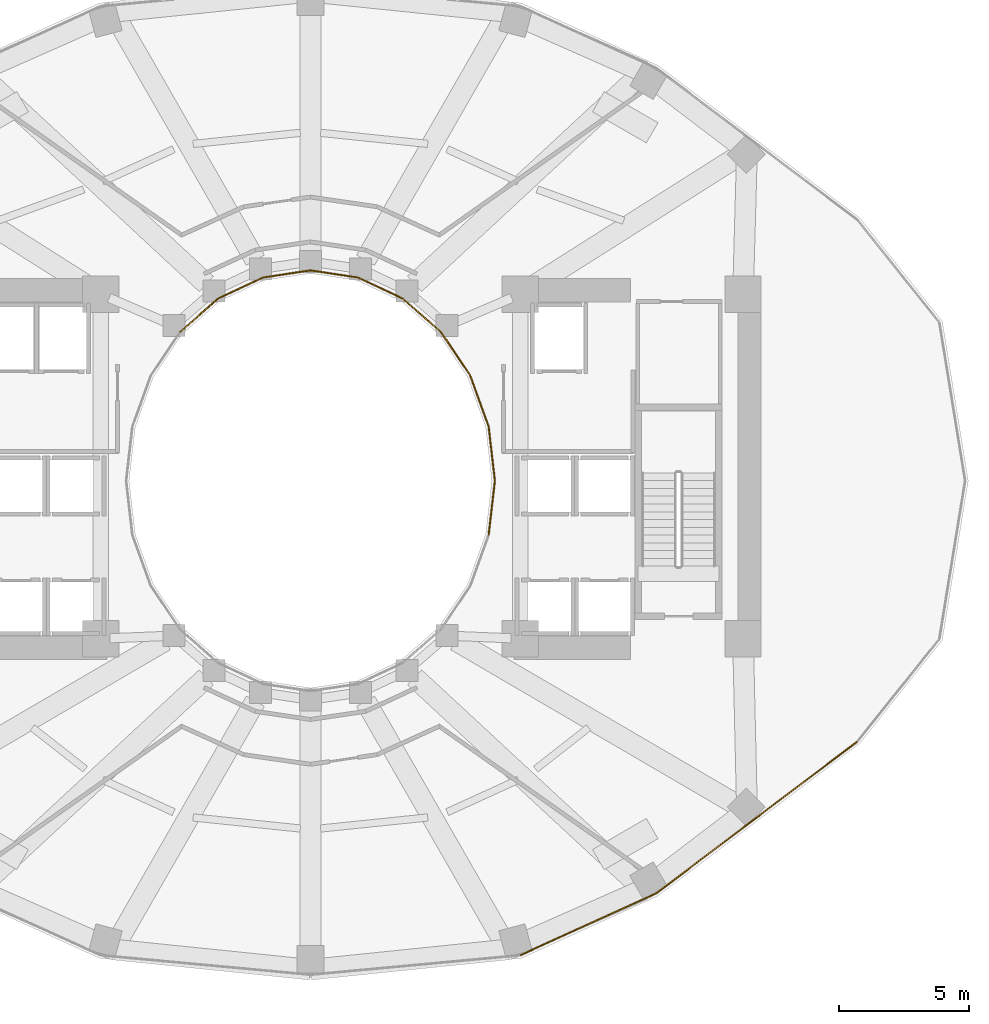
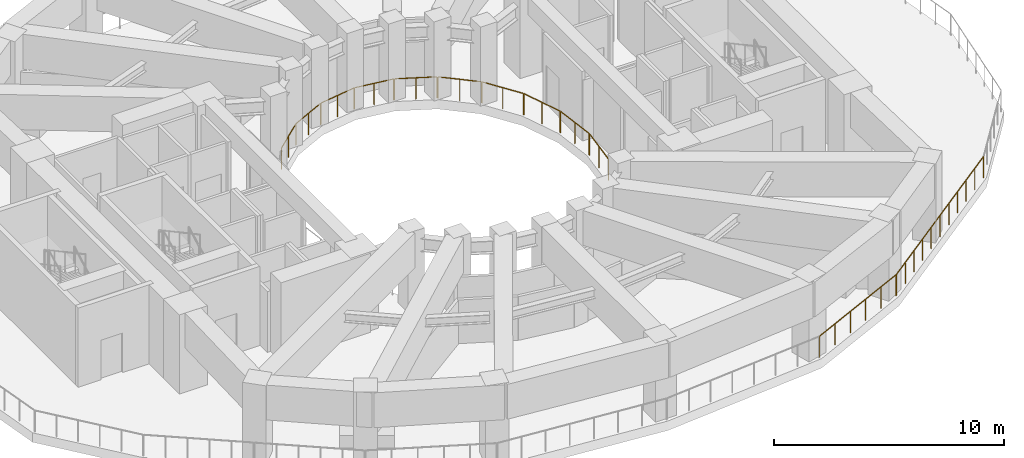
# One storey, part 8 of 10: 13 railings.
"""IFC4 building model written with IfcOpenShell, lengths in metres."""

from ifc_helpers import new_model, si_unit, direction, frame, origin, origin_2d, place, context, subcontext, project, spatial, circle, extrude, material, type_object, element, save


model = new_model("IFC4")

# Units and contexts
model_context = context("Model", 3, precision=1e-05, world=origin(), true_north=direction((0.0, 1.0)))
body_context = subcontext(model_context, "Body", "Model", "MODEL_VIEW")
ifc_project = project(units=[si_unit("LENGTHUNIT", "METRE"), si_unit("AREAUNIT", "SQUARE_METRE"), si_unit("VOLUMEUNIT", "CUBIC_METRE"), si_unit("PLANEANGLEUNIT", "RADIAN"), si_unit("MASSUNIT", "GRAM", prefix="KILO")], contexts=[model_context])

# Site, building, storey
site_placement = place(None, origin())
site = spatial("IfcSite", under=ifc_project, at=site_placement, CompositionType="ELEMENT")
building_placement = place(site_placement, origin())
building = spatial("IfcBuilding", under=site, at=building_placement, Name="Solvane Sanctuary Tower", CompositionType="ELEMENT")
storey_placement = place(building_placement, frame((0.0, 0.0, 69.0)))
storey = spatial("IfcBuildingStorey", under=building, at=storey_placement, Name="L20", CompositionType="ELEMENT", Elevation=69.0)

# Railings
ifc_material = material(Name="Architectural Stainless Steel 316", Category="steel")
railing_type_1 = type_object("IfcRailingType", Name="Railing GR-BALC-1150", PredefinedType="BALUSTRADE", material=ifc_material)
railing_1_placement = place(storey_placement, frame((40.119873046875, 4.68798828125, 0.0)))
element("IfcRailing", 1, at=railing_1_placement, inside=storey, type_object=railing_type_1, Name="L20 Open Void-Portal Perimeter Balustrade 19", PredefinedType="BALUSTRADE", context=body_context, shape_type="SweptSolid", body=[
    extrude(circle(Radius=0.02392578125, at=origin_2d()), frame((0.0, 0.0, 1.1259765625), z_axis=(0.910121263818, 0.414341990566, 0.0), x_axis=(-0.414341990566, 0.910121263818, 0.0)), (0.0, 0.0, 1.0), 5.73193359375),
    extrude(circle(Radius=0.02099609375, at=origin_2d()), origin(), (0.0, 0.0, 1.0), 1.101806640625),
    extrude(circle(Radius=0.02099609375, at=origin_2d()), frame((1.04345703125, 0.47509765625, 0.0)), (0.0, 0.0, 1.0), 1.101806640625),
    extrude(circle(Radius=0.02099609375, at=origin_2d()), frame((2.086669921875, 0.949951171875, 0.0)), (0.0, 0.0, 1.0), 1.101806640625),
    extrude(circle(Radius=0.02099609375, at=origin_2d()), frame((3.130126953125, 1.425048828125, 0.0)), (0.0, 0.0, 1.0), 1.101806640625),
    extrude(circle(Radius=0.02099609375, at=origin_2d()), frame((4.17333984375, 1.89990234375, 0.0)), (0.0, 0.0, 1.0), 1.101806640625),
    extrude(circle(Radius=0.02099609375, at=origin_2d()), frame((5.216796875, 2.375, 0.0)), (0.0, 0.0, 1.0), 1.101806640625),
])
railing_2_placement = place(storey_placement, frame((45.370849609375, 7.08349609375, 0.0)))
element("IfcRailing", 2, at=railing_2_placement, inside=storey, type_object=railing_type_1, Name="L20 Open Void-Portal Perimeter Balustrade 20", PredefinedType="BALUSTRADE", context=body_context, shape_type="SweptSolid", body=[
    extrude(circle(Radius=0.02392578125, at=origin_2d()), frame((0.0, 0.0, 1.1259765625), z_axis=(0.797932886887, 0.602746304861, 0.0), x_axis=(-0.602746304861, 0.797932886887, 0.0)), (0.0, 0.0, 1.0), 4.815673828125),
    extrude(circle(Radius=0.02099609375, at=origin_2d()), origin(), (0.0, 0.0, 1.0), 1.101806640625),
    extrude(circle(Radius=0.02099609375, at=origin_2d()), frame((0.7685546875, 0.58056640625, 0.0)), (0.0, 0.0, 1.0), 1.101806640625),
    extrude(circle(Radius=0.02099609375, at=origin_2d()), frame((1.537109375, 1.1611328125, 0.0)), (0.0, 0.0, 1.0), 1.101806640625),
    extrude(circle(Radius=0.02099609375, at=origin_2d()), frame((2.305419921875, 1.741455078125, 0.0)), (0.0, 0.0, 1.0), 1.101806640625),
    extrude(circle(Radius=0.02099609375, at=origin_2d()), frame((3.073974609375, 2.322021484375, 0.0)), (0.0, 0.0, 1.0), 1.101806640625),
    extrude(circle(Radius=0.02099609375, at=origin_2d()), frame((3.842529296875, 2.902587890625, 0.0)), (0.0, 0.0, 1.0), 1.101806640625),
])
railing_3_placement = place(storey_placement, frame((49.245361328125, 10.010009765625, 0.0)))
element("IfcRailing", 3, at=railing_3_placement, inside=storey, type_object=railing_type_1, Name="L20 Open Void-Portal Perimeter Balustrade 21", PredefinedType="BALUSTRADE", context=body_context, shape_type="SweptSolid", body=[
    extrude(circle(Radius=0.02392578125, at=origin_2d()), frame((0.0, 0.0, 1.1259765625), z_axis=(0.798476908887, 0.602025436318, 0.0), x_axis=(-0.602025436318, 0.798476908887, 0.0)), (0.0, 0.0, 1.0), 4.81689453125),
    extrude(circle(Radius=0.02099609375, at=origin_2d()), origin(), (0.0, 0.0, 1.0), 1.101806640625),
    extrude(circle(Radius=0.02099609375, at=origin_2d()), frame((0.769287109375, 0.580078125, 0.0)), (0.0, 0.0, 1.0), 1.101806640625),
    extrude(circle(Radius=0.02099609375, at=origin_2d()), frame((1.53857421875, 1.159912109375, 0.0)), (0.0, 0.0, 1.0), 1.101806640625),
    extrude(circle(Radius=0.02099609375, at=origin_2d()), frame((2.3076171875, 1.739990234375, 0.0)), (0.0, 0.0, 1.0), 1.101806640625),
    extrude(circle(Radius=0.02099609375, at=origin_2d()), frame((3.076904296875, 2.31982421875, 0.0)), (0.0, 0.0, 1.0), 1.101806640625),
    extrude(circle(Radius=0.02099609375, at=origin_2d()), frame((3.84619140625, 2.89990234375, 0.0)), (0.0, 0.0, 1.0), 1.101806640625),
])
railing_type_2 = type_object("IfcRailingType", Name="Railing GR-WELL-1150", PredefinedType="GUARDRAIL", material=ifc_material)
railing_4_placement = place(storey_placement, frame((39.11767578125, 23.02001953125, 0.0)))
element("IfcRailing", 4, at=railing_4_placement, inside=storey, type_object=railing_type_2, Name="L20 Open Refuge Light-Well Guardrail 00", PredefinedType="GUARDRAIL", context=body_context, shape_type="SweptSolid", body=[
    extrude(circle(Radius=0.02392578125, at=origin_2d()), frame((0.0, 0.0, 1.1259765625), z_axis=(-0.114691080618, 0.993401205972, 0.0), x_axis=(-0.993401205972, -0.114691080618, 0.0)), (0.0, 0.0, 1.0), 2.075439453125),
    extrude(circle(Radius=0.02099609375, at=origin_2d()), origin(), (0.0, 0.0, 1.0), 1.101806640625),
    extrude(circle(Radius=0.02099609375, at=origin_2d()), frame((-0.119140625, 1.03076171875, 0.0)), (0.0, 0.0, 1.0), 1.101806640625),
    extrude(circle(Radius=0.02099609375, at=origin_2d()), frame((-0.238037109375, 2.061767578125, 0.0)), (0.0, 0.0, 1.0), 1.101806640625),
])
railing_5_placement = place(storey_placement, frame((38.87060546875, 25.120361328125, 0.0)))
element("IfcRailing", 5, at=railing_5_placement, inside=storey, type_object=railing_type_2, Name="L20 Open Refuge Light-Well Guardrail 01", PredefinedType="GUARDRAIL", context=body_context, shape_type="SweptSolid", body=[
    extrude(circle(Radius=0.02392578125, at=origin_2d()), frame((0.0, 0.0, 1.1259765625), z_axis=(-0.341416925197, 0.93991195502, 0.0), x_axis=(-0.93991195502, -0.341416925197, 0.0)), (0.0, 0.0, 1.0), 2.043701171875),
    extrude(circle(Radius=0.02099609375, at=origin_2d()), origin(), (0.0, 0.0, 1.0), 1.101806640625),
    extrude(circle(Radius=0.02099609375, at=origin_2d()), frame((-0.348876953125, 0.96044921875, 0.0)), (0.0, 0.0, 1.0), 1.101806640625),
    extrude(circle(Radius=0.02099609375, at=origin_2d()), frame((-0.69775390625, 1.9208984375, 0.0)), (0.0, 0.0, 1.0), 1.101806640625),
])
railing_6_placement = place(storey_placement, frame((38.15478515625, 27.07666015625, 0.0)))
element("IfcRailing", 6, at=railing_6_placement, inside=storey, type_object=railing_type_2, Name="L20 Open Refuge Light-Well Guardrail 02", PredefinedType="GUARDRAIL", context=body_context, shape_type="SweptSolid", body=[
    extrude(circle(Radius=0.02392578125, at=origin_2d()), frame((0.0, 0.0, 1.1259765625), z_axis=(-0.558155157445, 0.829736596889, 0.0), x_axis=(-0.829736596889, -0.558155157445, 0.0)), (0.0, 0.0, 1.0), 1.98681640625),
    extrude(circle(Radius=0.02099609375, at=origin_2d()), origin(), (0.0, 0.0, 1.0), 1.101806640625),
    extrude(circle(Radius=0.02099609375, at=origin_2d()), frame((-0.554443359375, 0.82421875, 0.0)), (0.0, 0.0, 1.0), 1.101806640625),
    extrude(circle(Radius=0.02099609375, at=origin_2d()), frame((-1.10888671875, 1.6484375, 0.0)), (0.0, 0.0, 1.0), 1.101806640625),
])
railing_7_placement = place(storey_placement, frame((37.01953125, 28.7548828125, 0.0)))
element("IfcRailing", 7, at=railing_7_placement, inside=storey, type_object=railing_type_2, Name="L20 Open Refuge Light-Well Guardrail 03", PredefinedType="GUARDRAIL", context=body_context, shape_type="SweptSolid", body=[
    extrude(circle(Radius=0.02392578125, at=origin_2d()), frame((0.0, 0.0, 1.1259765625), z_axis=(-0.752545174005, 0.658540629788, 0.0), x_axis=(-0.658540629788, -0.752545174005, 0.0)), (0.0, 0.0, 1.0), 1.919189453125),
    extrude(circle(Radius=0.02099609375, at=origin_2d()), origin(), (0.0, 0.0, 1.0), 1.101806640625),
    extrude(circle(Radius=0.02099609375, at=origin_2d()), frame((-0.72216796875, 0.6318359375, 0.0)), (0.0, 0.0, 1.0), 1.101806640625),
    extrude(circle(Radius=0.02099609375, at=origin_2d()), frame((-1.4443359375, 1.263916015625, 0.0)), (0.0, 0.0, 1.0), 1.101806640625),
])
railing_8_placement = place(storey_placement, frame((35.5419921875, 30.04052734375, 0.0)))
element("IfcRailing", 8, at=railing_8_placement, inside=storey, type_object=railing_type_2, Name="L20 Open Refuge Light-Well Guardrail 04", PredefinedType="GUARDRAIL", context=body_context, shape_type="SweptSolid", body=[
    extrude(circle(Radius=0.02392578125, at=origin_2d()), frame((0.0, 0.0, 1.1259765625), z_axis=(-0.90418385242, 0.427143489968, 0.0), x_axis=(-0.427143489968, -0.90418385242, 0.0)), (0.0, 0.0, 1.0), 1.859375),
    extrude(circle(Radius=0.02099609375, at=origin_2d()), origin(), (0.0, 0.0, 1.0), 1.101806640625),
    extrude(circle(Radius=0.02099609375, at=origin_2d()), frame((-0.840576171875, 0.39697265625, 0.0)), (0.0, 0.0, 1.0), 1.101806640625),
    extrude(circle(Radius=0.02099609375, at=origin_2d()), frame((-1.68115234375, 0.794189453125, 0.0)), (0.0, 0.0, 1.0), 1.101806640625),
])
railing_9_placement = place(storey_placement, frame((33.822998046875, 30.84619140625, 0.0)))
element("IfcRailing", 9, at=railing_9_placement, inside=storey, type_object=railing_type_2, Name="L20 Open Refuge Light-Well Guardrail 05", PredefinedType="GUARDRAIL", context=body_context, shape_type="SweptSolid", body=[
    extrude(circle(Radius=0.02392578125, at=origin_2d()), frame((0.0, 0.0, 1.1259765625), z_axis=(-0.988914736588, 0.148484489964, 0.0), x_axis=(-0.148484489964, -0.988914736588, 0.0)), (0.0, 0.0, 1.0), 1.823486328125),
    extrude(circle(Radius=0.02099609375, at=origin_2d()), origin(), (0.0, 0.0, 1.0), 1.101806640625),
    extrude(circle(Radius=0.02099609375, at=origin_2d()), frame((-0.901611328125, 0.13525390625, 0.0)), (0.0, 0.0, 1.0), 1.101806640625),
    extrude(circle(Radius=0.02099609375, at=origin_2d()), frame((-1.80322265625, 0.270751953125, 0.0)), (0.0, 0.0, 1.0), 1.101806640625),
])
railing_10_placement = place(storey_placement, frame((31.980224609375, 31.116943359375, 0.0)))
element("IfcRailing", 10, at=railing_10_placement, inside=storey, type_object=railing_type_2, Name="L20 Open Refuge Light-Well Guardrail 06", PredefinedType="GUARDRAIL", context=body_context, shape_type="SweptSolid", body=[
    extrude(circle(Radius=0.02392578125, at=origin_2d()), frame((0.0, 0.0, 1.1259765625), z_axis=(-0.988914736588, -0.148484489964, 0.0), x_axis=(0.148484489964, -0.988914736588, 0.0)), (0.0, 0.0, 1.0), 1.823486328125),
    extrude(circle(Radius=0.02099609375, at=origin_2d()), origin(), (0.0, 0.0, 1.0), 1.101806640625),
    extrude(circle(Radius=0.02099609375, at=origin_2d()), frame((-0.901611328125, -0.13525390625, 0.0)), (0.0, 0.0, 1.0), 1.101806640625),
    extrude(circle(Radius=0.02099609375, at=origin_2d()), frame((-1.80322265625, -0.270751953125, 0.0)), (0.0, 0.0, 1.0), 1.101806640625),
])
railing_11_placement = place(storey_placement, frame((30.13916015625, 30.834716796875, 0.0)))
element("IfcRailing", 11, at=railing_11_placement, inside=storey, type_object=railing_type_2, Name="L20 Open Refuge Light-Well Guardrail 07", PredefinedType="GUARDRAIL", context=body_context, shape_type="SweptSolid", body=[
    extrude(circle(Radius=0.02392578125, at=origin_2d()), frame((0.0, 0.0, 1.1259765625), z_axis=(-0.90418385242, -0.427143489968, 0.0), x_axis=(0.427143489968, -0.90418385242, 0.0)), (0.0, 0.0, 1.0), 1.859375),
    extrude(circle(Radius=0.02099609375, at=origin_2d()), origin(), (0.0, 0.0, 1.0), 1.101806640625),
    extrude(circle(Radius=0.02099609375, at=origin_2d()), frame((-0.840576171875, -0.39697265625, 0.0)), (0.0, 0.0, 1.0), 1.101806640625),
    extrude(circle(Radius=0.02099609375, at=origin_2d()), frame((-1.68115234375, -0.794189453125, 0.0)), (0.0, 0.0, 1.0), 1.101806640625),
])
railing_12_placement = place(storey_placement, frame((28.4248046875, 30.018798828125, 0.0)))
element("IfcRailing", 12, at=railing_12_placement, inside=storey, type_object=railing_type_2, Name="L20 Open Refuge Light-Well Guardrail 08", PredefinedType="GUARDRAIL", context=body_context, shape_type="SweptSolid", body=[
    extrude(circle(Radius=0.02392578125, at=origin_2d()), frame((0.0, 0.0, 1.1259765625), z_axis=(-0.752545174005, -0.658540629788, 0.0), x_axis=(0.658540629788, -0.752545174005, 0.0)), (0.0, 0.0, 1.0), 1.919189453125),
    extrude(circle(Radius=0.02099609375, at=origin_2d()), origin(), (0.0, 0.0, 1.0), 1.101806640625),
    extrude(circle(Radius=0.02099609375, at=origin_2d()), frame((-0.72216796875, -0.6318359375, 0.0)), (0.0, 0.0, 1.0), 1.101806640625),
    extrude(circle(Radius=0.02099609375, at=origin_2d()), frame((-1.4443359375, -1.263916015625, 0.0)), (0.0, 0.0, 1.0), 1.101806640625),
])
railing_13_placement = place(storey_placement, frame((38.879638671875, 20.918212890625, 0.0)))
element("IfcRailing", 13, at=railing_13_placement, inside=storey, type_object=railing_type_2, Name="L20 Open Refuge Light-Well Guardrail 23", PredefinedType="GUARDRAIL", context=body_context, shape_type="SweptSolid", body=[
    extrude(circle(Radius=0.02392578125, at=origin_2d()), frame((0.0, 0.0, 1.1259765625), z_axis=(0.114691080618, 0.993401205972, 0.0), x_axis=(-0.993401205972, 0.114691080618, 0.0)), (0.0, 0.0, 1.0), 2.075439453125),
    extrude(circle(Radius=0.02099609375, at=origin_2d()), origin(), (0.0, 0.0, 1.0), 1.101806640625),
    extrude(circle(Radius=0.02099609375, at=origin_2d()), frame((0.119140625, 1.03076171875, 0.0)), (0.0, 0.0, 1.0), 1.101806640625),
    extrude(circle(Radius=0.02099609375, at=origin_2d()), frame((0.238037109375, 2.061767578125, 0.0)), (0.0, 0.0, 1.0), 1.101806640625),
])

save(model, "model.ifc")
